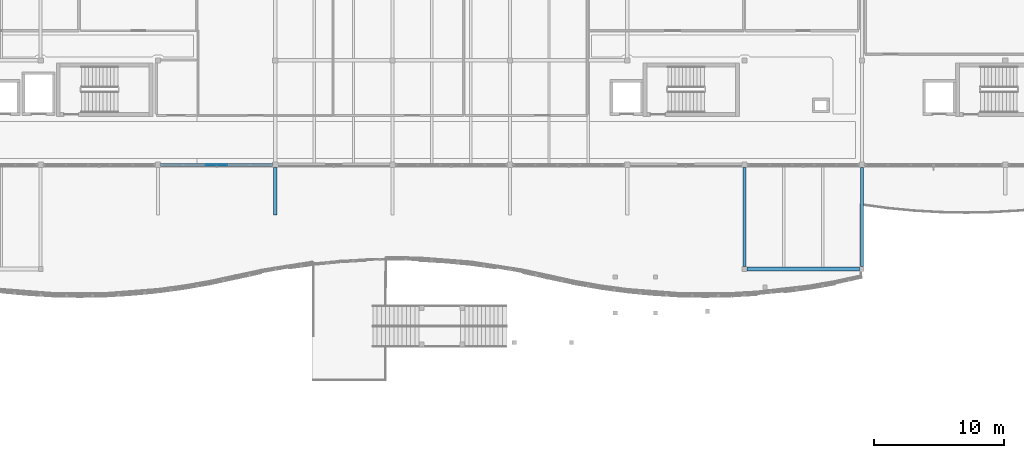
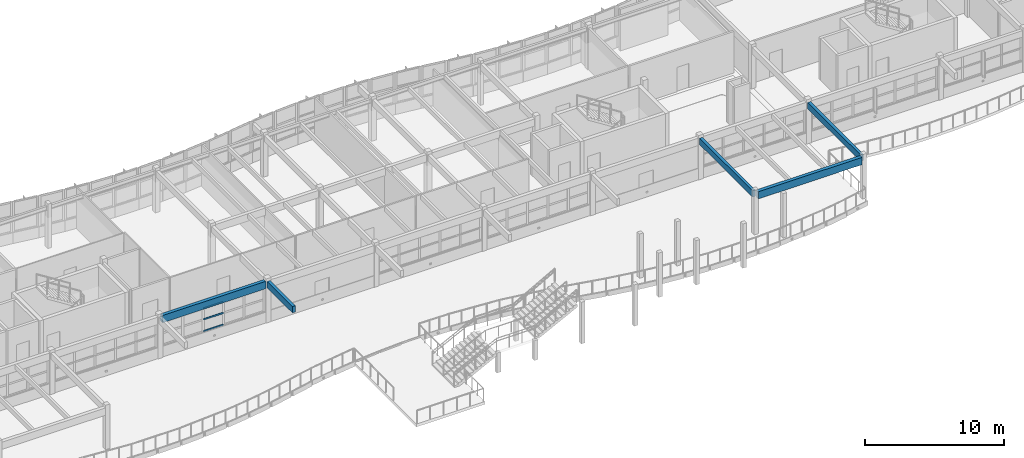
# One storey, part 16 of 63: 5 beams, 3 members, 1 element without a shape of its own.
"""IFC4 building model written with IfcOpenShell, lengths in metres."""

from ifc_helpers import new_model, si_unit, direction, frame, origin, origin_2d, place, context, subcontext, project, spatial, rectangle, extrude, material, layer, layer_set, material_profile, profile_set, type_object, element, aggregate, save


model = new_model("IFC4")

# Units and contexts
model_context = context("Model", 3, precision=1e-05, world=origin(), true_north=direction((0.0, 1.0)))
body_context = subcontext(model_context, "Body", "Model", "MODEL_VIEW")
ifc_project = project(units=[si_unit("LENGTHUNIT", "METRE"), si_unit("AREAUNIT", "SQUARE_METRE"), si_unit("VOLUMEUNIT", "CUBIC_METRE"), si_unit("PLANEANGLEUNIT", "RADIAN"), si_unit("MASSUNIT", "GRAM", prefix="KILO")], contexts=[model_context])

# Site, building, storey
site_placement = place(None, origin())
site = spatial("IfcSite", under=ifc_project, at=site_placement, CompositionType="ELEMENT")
building_placement = place(site_placement, origin())
building = spatial("IfcBuilding", under=site, at=building_placement, Name="Tonlespit Floodbar School", CompositionType="ELEMENT")
storey_placement = place(building_placement, frame((0.0, 0.0, 8.39990234375)))
storey = spatial("IfcBuildingStorey", under=building, at=storey_placement, Name="L02", CompositionType="ELEMENT", Elevation=8.39990234375)

# Beams
ifc_material_1 = material(Name="Glulam GL28h", Category="wood")
ifc_material_profile_1 = material_profile(ifc_material_1, rectangle(XDim=0.239990234375, YDim=0.56005859375, at=origin_2d()), Name="GL 240x560")
ifc_profile_set_1 = profile_set([ifc_material_profile_1], Name="Glulam GL28h")
beam_type_1 = type_object("IfcBeamType", Name="Beam_GL_240x560", PredefinedType="BEAM", material=ifc_profile_set_1)
for number, where, z_axis, x_axis, name in (
    (1, (107.0, 96.179931640625, 3.3681640625), (0.0, 1.0, 0.0), (-1.0, 0.0, 0.0), "L02 girder 1044"),
    (2, (116.0, 96.179931640625, 3.3681640625), (0.0, 1.0, 0.0), (-1.0, 0.0, 0.0), "L02 girder 1045"),
):
    element("IfcBeam", number, at=place(storey_placement, frame(where, z_axis=z_axis, x_axis=x_axis)), inside=storey, type_object=beam_type_1, Name=name, PredefinedType="BEAM", context=body_context, shape_type="SweptSolid", body=[
        extrude(rectangle(XDim=0.239990234375, YDim=0.56005859375, at=origin_2d()), origin(), (0.0, 0.0, 1.0), 7.6201171875),
    ])
beam_1_placement = place(storey_placement, frame((71.0, 103.800048828125, 3.3681640625), z_axis=(0.0, -1.0, 0.0), x_axis=(1.0, 0.0, 0.0)))
element("IfcBeam", 3, at=beam_1_placement, inside=storey, type_object=beam_type_1, Name="L02 V1 curved gallery cantilever rib", PredefinedType="BEAM", context=body_context, shape_type="SweptSolid", body=[
    extrude(rectangle(XDim=0.239990234375, YDim=0.56005859375, at=origin_2d()), origin(), (0.0, 0.0, 1.0), 3.650146484375),
])
ifc_material_profile_2 = material_profile(ifc_material_1, rectangle(XDim=0.280029296875, YDim=0.639892578125, at=origin_2d()), Name="GL 280x640")
ifc_profile_set_2 = profile_set([ifc_material_profile_2], Name="Glulam GL28h")
beam_type_2 = type_object("IfcBeamType", Name="Beam_GL_280x640", PredefinedType="BEAM", material=ifc_profile_set_2)
beam_2_placement = place(storey_placement, frame((107.179931640625, 96.0, 3.330078125), z_axis=(1.0, 0.0, 0.0), x_axis=(0.0, 1.0, 0.0)))
element("IfcBeam", 4, at=beam_2_placement, inside=storey, type_object=beam_type_2, Name="L02 girder 0958", PredefinedType="BEAM", context=body_context, shape_type="SweptSolid", body=[
    extrude(rectangle(XDim=0.280029296875, YDim=0.639892578125, at=origin_2d()), origin(), (0.0, 0.0, 1.0), 8.64013671875),
])
beam_3_placement = place(storey_placement, frame((62.199951171875, 104.0, 3.328125), z_axis=(1.0, 0.0, 0.0), x_axis=(0.0, 1.0, 0.0)))
element("IfcBeam", 5, at=beam_3_placement, inside=storey, type_object=beam_type_2, Name="L02 girder 0961", PredefinedType="BEAM", context=body_context, shape_type="SweptSolid", body=[
    extrude(rectangle(XDim=0.280029296875, YDim=0.639892578125, at=origin_2d()), origin(), (0.0, 0.0, 1.0), 8.60009765625),
])

# Curtain wall, members
ifc_material_2 = material(Name="Anodised Aluminium", Category="aluminium")
ifc_layer = layer(ifc_material_2, 0.159912109375)
ifc_layer_set = layer_set([ifc_layer], Name="Anodised Aluminium")
curtain_wall_type = type_object("IfcCurtainWallType", Name="CurtainWall_8500x2050", PredefinedType="NOTDEFINED", material=ifc_layer_set)
curtain_wall_placement = place(storey_placement, origin())
curtain_wall = element("IfcCurtainWall", 6, at=curtain_wall_placement, inside=storey, type_object=curtain_wall_type, Name="L02 unitised curtain wall 0121", PredefinedType="NOTDEFINED")
ifc_material_profile_3 = material_profile(ifc_material_2, rectangle(XDim=0.06494140625, YDim=0.139892578125, at=origin_2d()), Name="ALU T65x140")
ifc_profile_set_3 = profile_set([ifc_material_profile_3], Name="Anodised Aluminium")
member_type = type_object("IfcMemberType", Name="CW_Transom_65x140", PredefinedType="USERDEFINED", material=ifc_profile_set_3)
member_1_placement = place(storey_placement, frame((67.319580078125, 104.0, 0.982666015625), z_axis=(-1.0, 0.0, 0.0), x_axis=(0.0, -1.0, 0.0)))
member_1 = element("IfcMember", 7, at=member_1_placement, type_object=member_type, Name="CW-07 transom 3.1", ObjectType="TRANSOM", PredefinedType="USERDEFINED", context=body_context, shape_type="SweptSolid", body=[
    extrude(rectangle(XDim=0.06494140625, YDim=0.139892578125, at=origin_2d()), origin(), (0.0, 0.0, 1.0), 1.63916015625),
])
member_2_placement = place(storey_placement, frame((67.319580078125, 104.0, 2.020263671875), z_axis=(-1.0, 0.0, 0.0), x_axis=(0.0, -1.0, 0.0)))
member_2 = element("IfcMember", 8, at=member_2_placement, type_object=member_type, Name="CW-07 transom 3.2", ObjectType="TRANSOM", PredefinedType="USERDEFINED", context=body_context, shape_type="SweptSolid", body=[
    extrude(rectangle(XDim=0.06494140625, YDim=0.139892578125, at=origin_2d()), origin(), (0.0, 0.0, 1.0), 1.63916015625),
])
member_3_placement = place(storey_placement, frame((67.319580078125, 104.0, 2.9755859375), z_axis=(-1.0, 0.0, 0.0), x_axis=(0.0, -1.0, 0.0)))
member_3 = element("IfcMember", 9, at=member_3_placement, type_object=member_type, Name="CW-07 transom 3.3", ObjectType="TRANSOM", PredefinedType="USERDEFINED", context=body_context, shape_type="SweptSolid", body=[
    extrude(rectangle(XDim=0.06494140625, YDim=0.139892578125, at=origin_2d()), origin(), (0.0, 0.0, 1.0), 1.63916015625),
])
aggregate(curtain_wall, [member_1, member_2, member_3])

save(model, "model.ifc")
